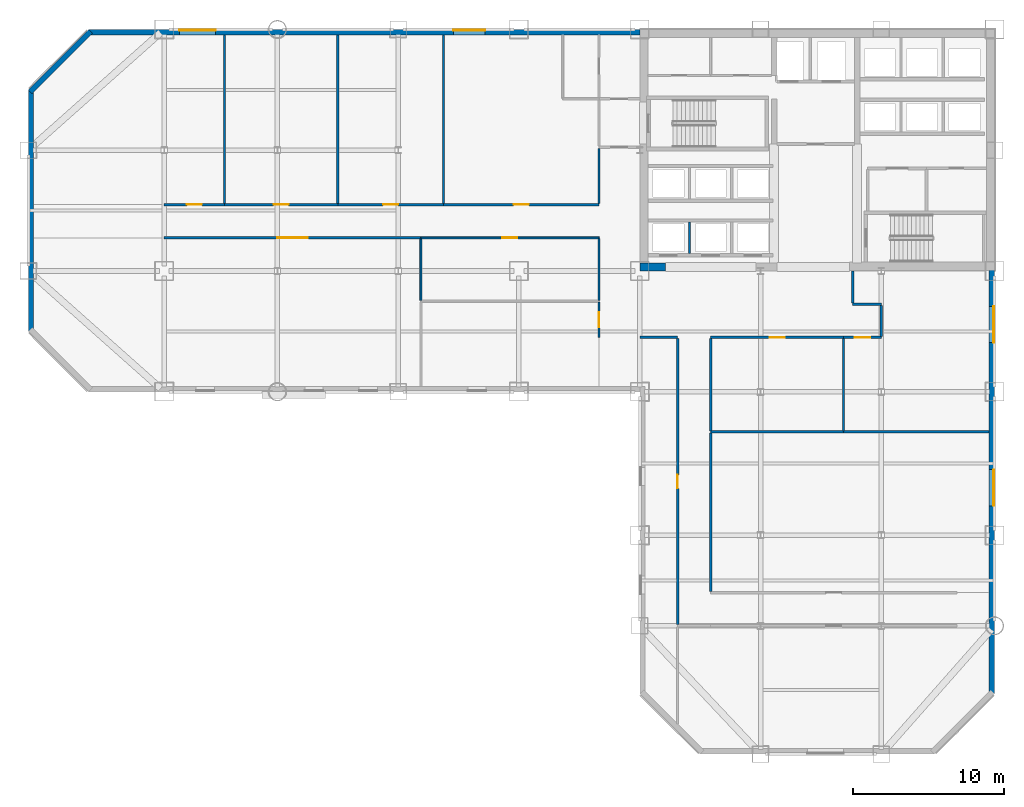
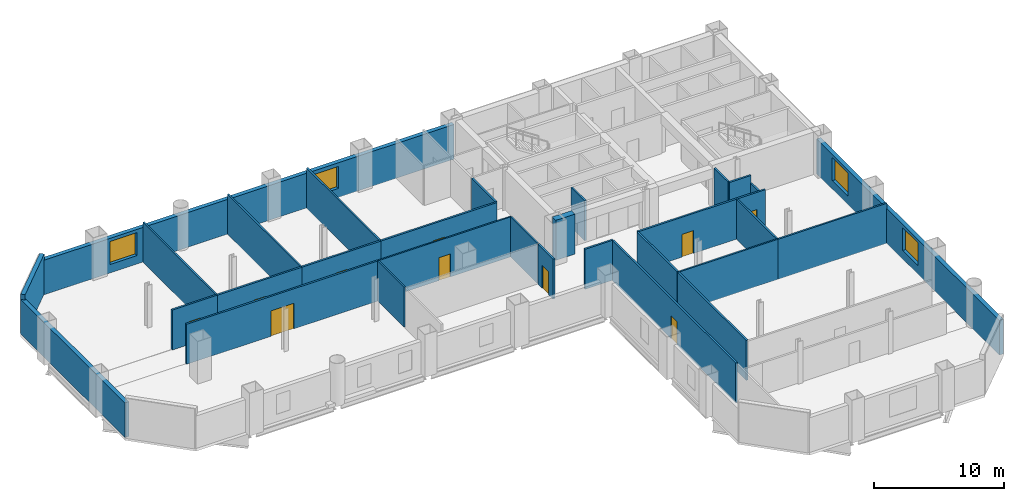
# One storey, part 5 of 9: 31 walls, 10 doors, 4 windows, 14 openings.
"""IFC4 building model written with IfcOpenShell, lengths in metres."""

from ifc_helpers import new_model, si_unit, direction, frame, frame_2d, origin, place, context, subcontext, project, spatial, rectangle, extrude, material, layer, layer_set, type_object, element, fill, save


model = new_model("IFC4")

# Units and contexts
model_context = context("Model", 3, precision=1e-05, world=origin(), true_north=direction((0.0, 1.0)))
body_context = subcontext(model_context, "Body", "Model", "MODEL_VIEW")
ifc_project = project(units=[si_unit("LENGTHUNIT", "METRE"), si_unit("AREAUNIT", "SQUARE_METRE"), si_unit("VOLUMEUNIT", "CUBIC_METRE"), si_unit("PLANEANGLEUNIT", "RADIAN"), si_unit("MASSUNIT", "GRAM", prefix="KILO")], contexts=[model_context])

# Site, building, storey
site_placement = place(None, origin())
site = spatial("IfcSite", under=ifc_project, at=site_placement, CompositionType="ELEMENT")
building_placement = place(site_placement, origin())
building = spatial("IfcBuilding", under=site, at=building_placement, Name="Qianrong Seaharbour Tower", CompositionType="ELEMENT")
storey_placement = place(building_placement, frame((0.0, 0.0, 84.199951171875)))
storey = spatial("IfcBuildingStorey", under=building, at=storey_placement, Name="L20", CompositionType="ELEMENT", Elevation=84.199951171875)

# Wall
ifc_material_1 = material(Name="Concrete C70/85", Category="concrete")
ifc_layer_1 = layer(ifc_material_1, 0.5400390625)
ifc_layer_set_1 = layer_set([ifc_layer_1], Name="Concrete C70/85")
wall_type_1 = type_object("IfcWallType", Name="WALL-CORE-540", PredefinedType="SHEAR", material=ifc_layer_set_1)
wall_1_placement = place(storey_placement, frame((40.5, 36.27001953125, 0.0), z_axis=(0.0, 0.0, 1.0), x_axis=(1.0, 0.0, 0.0)))
element("IfcWall", 1, at=wall_1_placement, inside=storey, type_object=wall_type_1, Name="L20 South Core Shear Wall S1", PredefinedType="SHEAR", context=body_context, shape_type="SweptSolid", body=[
    extrude(rectangle(XDim=1.699951171875, YDim=0.5400390625, at=frame_2d((0.85009765625, 0.0))), origin(), (0.0, 0.0, 1.0), 3.75),
])

# Wall, opening, door
ifc_material_2 = material(Name="Fire-rated acoustic gypsum board partition")
ifc_layer_2 = layer(ifc_material_2, 0.1650390625)
ifc_layer_set_2 = layer_set([ifc_layer_2], Name="Fire-rated acoustic gypsum board partition")
wall_type_2 = type_object("IfcWallType", Name="WALL-CORR-PART-165", PredefinedType="PARTITIONING", material=ifc_layer_set_2)
wall_2_placement = place(storey_placement, frame((9.0, 40.39990234375, 0.0), z_axis=(0.0, 0.0, 1.0), x_axis=(1.0, 0.0, 0.0)))
wall_2 = element("IfcWall", 2, at=wall_2_placement, inside=storey, type_object=wall_type_2, Name="L20 Interior Partition Wall 015", PredefinedType="PARTITIONING", context=body_context, shape_type="SweptSolid", body=[
    extrude(rectangle(XDim=4.0, YDim=0.1650390625, at=frame_2d((2.0, 0.0))), origin(), (0.0, 0.0, 1.0), 3.75),
])
opening_1_placement = place(wall_2_placement, frame((1.5, 0.0, 0.0)))
opening_1 = element("IfcOpeningElement", 3, at=opening_1_placement, cuts=wall_2, Name="Opening DO-01", PredefinedType="OPENING", context=body_context, shape_type="SweptSolid", body=[
    extrude(rectangle(XDim=1.0, YDim=2.14990234375, at=frame_2d((0.5, 1.074951171875))), frame((0.0, 0.092529296875, 0.0), z_axis=(0.0, -1.0, 0.0), x_axis=(1.0, 0.0, 0.0)), (0.0, 0.0, 1.0), 0.18505859375),
])
ifc_material_3 = material(Name="Acoustic timber and galvanized steel fire door assembly", Category="steel")
door_type_1 = type_object("IfcDoorType", Name="DOOR-OFFICE-1000x2150", OperationType="NOTDEFINED", PredefinedType="DOOR", material=ifc_material_3)
door_1_placement = place(opening_1_placement, origin())
door_1 = element("IfcDoor", 4, at=door_1_placement, inside=storey, type_object=door_type_1, Name="L20 Occupational Health Clinic 1 Door", OperationType="SINGLE_SWING_RIGHT", OverallHeight=2.14990234375, OverallWidth=1.0, PredefinedType="DOOR", context=body_context, shape_type="SweptSolid", body=[
    extrude(rectangle(XDim=1.0, YDim=2.14990234375, at=frame_2d((0.5, 1.074951171875))), frame((0.0, 0.02490234375, 0.0), z_axis=(0.0, -1.0, 0.0), x_axis=(1.0, 0.0, 0.0)), (0.0, 0.0, 1.0), 0.050048828125),
])
fill(opening_1, door_1)

wall_3_placement = place(storey_placement, frame((13.0, 40.39990234375, 0.0), z_axis=(0.0, 0.0, 1.0), x_axis=(1.0, 0.0, 0.0)))
wall_3 = element("IfcWall", 5, at=wall_3_placement, inside=storey, type_object=wall_type_2, Name="L20 Interior Partition Wall 016", PredefinedType="PARTITIONING", context=body_context, shape_type="SweptSolid", body=[
    extrude(rectangle(XDim=7.5, YDim=0.1650390625, at=frame_2d((3.75, 0.0))), origin(), (0.0, 0.0, 1.0), 3.75),
])
opening_2_placement = place(wall_3_placement, frame((3.25, 0.0, 0.0)))
opening_2 = element("IfcOpeningElement", 6, at=opening_2_placement, cuts=wall_3, Name="Opening DO-01", PredefinedType="OPENING", context=body_context, shape_type="SweptSolid", body=[
    extrude(rectangle(XDim=1.0, YDim=2.14990234375, at=frame_2d((0.5, 1.074951171875))), frame((0.0, 0.092529296875, 0.0), z_axis=(0.0, -1.0, 0.0), x_axis=(1.0, 0.0, 0.0)), (0.0, 0.0, 1.0), 0.18505859375),
])
door_2_placement = place(opening_2_placement, origin())
door_2 = element("IfcDoor", 7, at=door_2_placement, inside=storey, type_object=door_type_1, Name="L20 Physiotherapy Room 2 Door", OperationType="SINGLE_SWING_LEFT", OverallHeight=2.14990234375, OverallWidth=1.0, PredefinedType="DOOR", context=body_context, shape_type="SweptSolid", body=[
    extrude(rectangle(XDim=1.0, YDim=2.14990234375, at=frame_2d((0.5, 1.074951171875))), frame((0.0, 0.02490234375, 0.0), z_axis=(0.0, -1.0, 0.0), x_axis=(1.0, 0.0, 0.0)), (0.0, 0.0, 1.0), 0.050048828125),
])
fill(opening_2, door_2)

wall_4_placement = place(storey_placement, frame((20.5, 40.39990234375, 0.0), z_axis=(0.0, 0.0, 1.0), x_axis=(1.0, 0.0, 0.0)))
wall_4 = element("IfcWall", 8, at=wall_4_placement, inside=storey, type_object=wall_type_2, Name="L20 Interior Partition Wall 017", PredefinedType="PARTITIONING", context=body_context, shape_type="SweptSolid", body=[
    extrude(rectangle(XDim=7.0, YDim=0.1650390625, at=frame_2d((3.5, 0.0))), origin(), (0.0, 0.0, 1.0), 3.75),
])
opening_3_placement = place(wall_4_placement, frame((3.0, 0.0, 0.0)))
opening_3 = element("IfcOpeningElement", 9, at=opening_3_placement, cuts=wall_4, Name="Opening DO-01", PredefinedType="OPENING", context=body_context, shape_type="SweptSolid", body=[
    extrude(rectangle(XDim=1.0, YDim=2.14990234375, at=frame_2d((0.5, 1.074951171875))), frame((0.0, 0.092529296875, 0.0), z_axis=(0.0, -1.0, 0.0), x_axis=(1.0, 0.0, 0.0)), (0.0, 0.0, 1.0), 0.18505859375),
])
door_3_placement = place(opening_3_placement, origin())
door_3 = element("IfcDoor", 10, at=door_3_placement, inside=storey, type_object=door_type_1, Name="L20 First Aid Nursing Room 3 Door", OperationType="SINGLE_SWING_RIGHT", OverallHeight=2.14990234375, OverallWidth=1.0, PredefinedType="DOOR", context=body_context, shape_type="SweptSolid", body=[
    extrude(rectangle(XDim=1.0, YDim=2.14990234375, at=frame_2d((0.5, 1.074951171875))), frame((0.0, 0.02490234375, 0.0), z_axis=(0.0, -1.0, 0.0), x_axis=(1.0, 0.0, 0.0)), (0.0, 0.0, 1.0), 0.050048828125),
])
fill(opening_3, door_3)

wall_5_placement = place(storey_placement, frame((27.5, 40.39990234375, 0.0), z_axis=(0.0, 0.0, 1.0), x_axis=(1.0, 0.0, 0.0)))
wall_5 = element("IfcWall", 11, at=wall_5_placement, inside=storey, type_object=wall_type_2, Name="L20 Interior Partition Wall 018", PredefinedType="PARTITIONING", context=body_context, shape_type="SweptSolid", body=[
    extrude(rectangle(XDim=10.300048828125, YDim=0.1650390625, at=frame_2d((5.14990234375, 0.0))), origin(), (0.0, 0.0, 1.0), 3.75),
])
opening_4_placement = place(wall_5_placement, frame((4.64990234375, 0.0, 0.0)))
opening_4 = element("IfcOpeningElement", 12, at=opening_4_placement, cuts=wall_5, Name="Opening DO-01", PredefinedType="OPENING", context=body_context, shape_type="SweptSolid", body=[
    extrude(rectangle(XDim=1.0, YDim=2.14990234375, at=frame_2d((0.5, 1.074951171875))), frame((0.0, 0.092529296875, 0.0), z_axis=(0.0, -1.0, 0.0), x_axis=(1.0, 0.0, 0.0)), (0.0, 0.0, 1.0), 0.18505859375),
])
door_4_placement = place(opening_4_placement, origin())
door_4 = element("IfcDoor", 13, at=door_4_placement, inside=storey, type_object=door_type_1, Name="L20 Case Coordinator Office 4 Door", OperationType="SINGLE_SWING_LEFT", OverallHeight=2.14990234375, OverallWidth=1.0, PredefinedType="DOOR", context=body_context, shape_type="SweptSolid", body=[
    extrude(rectangle(XDim=1.0, YDim=2.14990234375, at=frame_2d((0.5, 1.074951171875))), frame((0.0, 0.02490234375, 0.0), z_axis=(0.0, -1.0, 0.0), x_axis=(1.0, 0.0, 0.0)), (0.0, 0.0, 1.0), 0.050048828125),
])
fill(opening_4, door_4)

wall_6_placement = place(storey_placement, frame((26.0, 38.199951171875, 0.0), z_axis=(0.0, 0.0, 1.0), x_axis=(-1.0, 0.0, 0.0)))
wall_6 = element("IfcWall", 14, at=wall_6_placement, inside=storey, type_object=wall_type_2, Name="L20 Interior Partition Wall 019", PredefinedType="PARTITIONING", context=body_context, shape_type="SweptSolid", body=[
    extrude(rectangle(XDim=17.0, YDim=0.1650390625, at=frame_2d((8.5, 0.0))), origin(), (0.0, 0.0, 1.0), 3.75),
])
opening_5_placement = place(wall_6_placement, frame((7.5, 0.0, 0.0)))
opening_5 = element("IfcOpeningElement", 15, at=opening_5_placement, cuts=wall_6, Name="Opening DA-01", PredefinedType="OPENING", context=body_context, shape_type="SweptSolid", body=[
    extrude(rectangle(XDim=2.0, YDim=2.39990234375, at=frame_2d((1.0, 1.199951171875))), frame((0.0, 0.092529296875, 0.0), z_axis=(0.0, -1.0, 0.0), x_axis=(1.0, 0.0, 0.0)), (0.0, 0.0, 1.0), 0.18505859375),
])
door_type_2 = type_object("IfcDoorType", Name="DOOR-AUD-PAIR-2000x2400", OperationType="DOUBLE_DOOR_SINGLE_SWING", PredefinedType="DOOR", material=ifc_material_3)
door_5_placement = place(opening_5_placement, origin())
door_5 = element("IfcDoor", 16, at=door_5_placement, inside=storey, type_object=door_type_2, Name="L20 Wellness Exercise Hall Door", OperationType="DOUBLE_DOOR_SINGLE_SWING", OverallHeight=2.39990234375, OverallWidth=2.0, PredefinedType="DOOR", context=body_context, shape_type="SweptSolid", body=[
    extrude(rectangle(XDim=2.0, YDim=2.39990234375, at=frame_2d((1.0, 1.199951171875))), frame((0.0, 0.02490234375, 0.0), z_axis=(0.0, -1.0, 0.0), x_axis=(1.0, 0.0, 0.0)), (0.0, 0.0, 1.0), 0.050048828125),
])
fill(opening_5, door_5)

# Wall
wall_7_placement = place(storey_placement, frame((37.800048828125, 40.474609375, 0.0), z_axis=(0.0, 0.0, 1.0), x_axis=(0.0, 1.0, 0.0)))
element("IfcWall", 17, at=wall_7_placement, inside=storey, type_object=wall_type_2, Name="L20 Interior Partition Wall 021", PredefinedType="PARTITIONING", context=body_context, shape_type="SweptSolid", body=[
    extrude(rectangle(XDim=3.65087890625, YDim=0.1650390625, at=frame_2d((1.825439453125, 0.0))), origin(), (0.0, 0.0, 1.0), 3.75),
])

# Wall, opening, door
wall_8_placement = place(storey_placement, frame((37.800048828125, 31.60009765625, 0.0), z_axis=(0.0, 0.0, 1.0), x_axis=(0.0, 1.0, 0.0)))
wall_8 = element("IfcWall", 18, at=wall_8_placement, inside=storey, type_object=wall_type_2, Name="L20 Interior Partition Wall 022", PredefinedType="PARTITIONING", context=body_context, shape_type="SweptSolid", body=[
    extrude(rectangle(XDim=2.343017578125, YDim=0.1650390625, at=frame_2d((1.17138671875, 0.0))), origin(), (0.0, 0.0, 1.0), 3.75),
])
opening_6_placement = place(wall_8_placement, frame((0.67138671875, 0.0, 0.0)))
opening_6 = element("IfcOpeningElement", 19, at=opening_6_placement, cuts=wall_8, Name="Opening DO-01", PredefinedType="OPENING", context=body_context, shape_type="SweptSolid", body=[
    extrude(rectangle(XDim=1.0, YDim=2.14990234375, at=frame_2d((0.5, 1.074951171875))), frame((0.0, 0.092529296875, 0.0), z_axis=(0.0, -1.0, 0.0), x_axis=(1.0, 0.0, 0.0)), (0.0, 0.0, 1.0), 0.18505859375),
])
door_6_placement = place(opening_6_placement, origin())
door_6 = element("IfcDoor", 20, at=door_6_placement, inside=storey, type_object=door_type_1, Name="L20 Medical Examination Room 1 Door", OperationType="SINGLE_SWING_RIGHT", OverallHeight=2.14990234375, OverallWidth=1.0, PredefinedType="DOOR", context=body_context, shape_type="SweptSolid", body=[
    extrude(rectangle(XDim=1.0, YDim=2.14990234375, at=frame_2d((0.5, 1.074951171875))), frame((0.0, 0.02490234375, 0.0), z_axis=(0.0, -1.0, 0.0), x_axis=(1.0, 0.0, 0.0)), (0.0, 0.0, 1.0), 0.050048828125),
])
fill(opening_6, door_6)

wall_9_placement = place(storey_placement, frame((54.0, 31.60009765625, 0.0), z_axis=(0.0, 0.0, 1.0), x_axis=(-1.0, 0.0, 0.0)))
wall_9 = element("IfcWall", 21, at=wall_9_placement, inside=storey, type_object=wall_type_2, Name="L20 Interior Partition Wall 024", PredefinedType="PARTITIONING", context=body_context, shape_type="SweptSolid", body=[
    extrude(rectangle(XDim=8.800048828125, YDim=0.1650390625, at=frame_2d((4.39990234375, 0.0))), origin(), (0.0, 0.0, 1.0), 3.75),
])
opening_7_placement = place(wall_9_placement, frame((3.89990234375, 0.0, 0.0)))
opening_7 = element("IfcOpeningElement", 22, at=opening_7_placement, cuts=wall_9, Name="Opening DO-01", PredefinedType="OPENING", context=body_context, shape_type="SweptSolid", body=[
    extrude(rectangle(XDim=1.0, YDim=2.14990234375, at=frame_2d((0.5, 1.074951171875))), frame((0.0, 0.092529296875, 0.0), z_axis=(0.0, -1.0, 0.0), x_axis=(1.0, 0.0, 0.0)), (0.0, 0.0, 1.0), 0.18505859375),
])
door_7_placement = place(opening_7_placement, origin())
door_7 = element("IfcDoor", 23, at=door_7_placement, inside=storey, type_object=door_type_1, Name="L20 Wellness Room 1 Door", OperationType="SINGLE_SWING_RIGHT", OverallHeight=2.14990234375, OverallWidth=1.0, PredefinedType="DOOR", context=body_context, shape_type="SweptSolid", body=[
    extrude(rectangle(XDim=1.0, YDim=2.14990234375, at=frame_2d((0.5, 1.074951171875))), frame((0.0, 0.02490234375, 0.0), z_axis=(0.0, -1.0, 0.0), x_axis=(1.0, 0.0, 0.0)), (0.0, 0.0, 1.0), 0.050048828125),
])
fill(opening_7, door_7)

# Walls
wall_10_placement = place(storey_placement, frame((54.60009765625, 36.0, 0.0), z_axis=(0.0, 0.0, 1.0), x_axis=(0.0, -1.0, 0.0)))
element("IfcWall", 24, at=wall_10_placement, inside=storey, type_object=wall_type_2, Name="L20 Interior Partition Wall 025", PredefinedType="PARTITIONING", context=body_context, shape_type="SweptSolid", body=[
    extrude(rectangle(XDim=2.12548828125, YDim=0.1650390625, at=frame_2d((1.062744140625, 0.0))), origin(), (0.0, 0.0, 1.0), 3.75),
])
wall_11_placement = place(storey_placement, frame((54.60009765625, 33.800048828125, 0.0), z_axis=(0.0, 0.0, 1.0), x_axis=(1.0, 0.0, 0.0)))
element("IfcWall", 25, at=wall_11_placement, inside=storey, type_object=wall_type_2, Name="L20 Interior Partition Wall 026", PredefinedType="PARTITIONING", context=body_context, shape_type="SweptSolid", body=[
    extrude(rectangle(XDim=1.89990234375, YDim=0.1650390625, at=frame_2d((0.949951171875, 0.0))), origin(), (0.0, 0.0, 1.0), 3.75),
])
wall_12_placement = place(storey_placement, frame((56.5, 33.7255859375, 0.0), z_axis=(0.0, 0.0, 1.0), x_axis=(0.0, -1.0, 0.0)))
element("IfcWall", 26, at=wall_12_placement, inside=storey, type_object=wall_type_2, Name="L20 Interior Partition Wall 027", PredefinedType="PARTITIONING", context=body_context, shape_type="SweptSolid", body=[
    extrude(rectangle(XDim=2.051025390625, YDim=0.1650390625, at=frame_2d((1.025390625, 0.0))), origin(), (0.0, 0.0, 1.0), 3.0419921875),
])

# Wall, opening, door
wall_13_placement = place(storey_placement, frame((56.5, 31.60009765625, 0.0), z_axis=(0.0, 0.0, 1.0), x_axis=(-1.0, 0.0, 0.0)))
wall_13 = element("IfcWall", 27, at=wall_13_placement, inside=storey, type_object=wall_type_2, Name="L20 Interior Partition Wall 028", PredefinedType="PARTITIONING", context=body_context, shape_type="SweptSolid", body=[
    extrude(rectangle(XDim=2.5, YDim=0.1650390625, at=frame_2d((1.25, 0.0))), origin(), (0.0, 0.0, 1.0), 3.75),
])
opening_8_placement = place(wall_13_placement, frame((0.75, 0.0, 0.0)))
opening_8 = element("IfcOpeningElement", 28, at=opening_8_placement, cuts=wall_13, Name="Opening DO-01", PredefinedType="OPENING", context=body_context, shape_type="SweptSolid", body=[
    extrude(rectangle(XDim=1.0, YDim=2.14990234375, at=frame_2d((0.5, 1.074951171875))), frame((0.0, 0.092529296875, 0.0), z_axis=(0.0, -1.0, 0.0), x_axis=(1.0, 0.0, 0.0)), (0.0, 0.0, 1.0), 0.18505859375),
])
door_8_placement = place(opening_8_placement, origin())
door_8 = element("IfcDoor", 29, at=door_8_placement, inside=storey, type_object=door_type_1, Name="L20 Health Director Office 2 Door", OperationType="SINGLE_SWING_LEFT", OverallHeight=2.14990234375, OverallWidth=1.0, PredefinedType="DOOR", context=body_context, shape_type="SweptSolid", body=[
    extrude(rectangle(XDim=1.0, YDim=2.14990234375, at=frame_2d((0.5, 1.074951171875))), frame((0.0, 0.02490234375, 0.0), z_axis=(0.0, -1.0, 0.0), x_axis=(1.0, 0.0, 0.0)), (0.0, 0.0, 1.0), 0.050048828125),
])
fill(opening_8, door_8)

# Walls
wall_14_placement = place(storey_placement, frame((43.0, 31.60009765625, 0.0), z_axis=(0.0, 0.0, 1.0), x_axis=(-1.0, 0.0, 0.0)))
element("IfcWall", 30, at=wall_14_placement, inside=storey, type_object=wall_type_2, Name="L20 Interior Partition Wall 029", PredefinedType="PARTITIONING", context=body_context, shape_type="SweptSolid", body=[
    extrude(rectangle(XDim=2.5, YDim=0.1650390625, at=frame_2d((1.25, 0.0))), origin(), (0.0, 0.0, 1.0), 3.75),
])
wall_15_placement = place(storey_placement, frame((45.199951171875, 25.285400390625, 0.0), z_axis=(0.0, 0.0, 1.0), x_axis=(0.0, -1.0, 0.0)))
element("IfcWall", 31, at=wall_15_placement, inside=storey, type_object=wall_type_2, Name="L20 Interior Partition Wall 031", PredefinedType="PARTITIONING", context=body_context, shape_type="SweptSolid", body=[
    extrude(rectangle(XDim=10.510986328125, YDim=0.1650390625, at=frame_2d((5.25537109375, 0.0))), origin(), (0.0, 0.0, 1.0), 3.75),
])
wall_16_placement = place(storey_placement, frame((45.199951171875, 31.525390625, 0.0), z_axis=(0.0, 0.0, 1.0), x_axis=(0.0, -1.0, 0.0)))
element("IfcWall", 32, at=wall_16_placement, inside=storey, type_object=wall_type_2, Name="L20 Interior Partition Wall 032", PredefinedType="PARTITIONING", context=body_context, shape_type="SweptSolid", body=[
    extrude(rectangle(XDim=6.11083984375, YDim=0.1650390625, at=frame_2d((3.055419921875, 0.0))), origin(), (0.0, 0.0, 1.0), 3.75),
])

# Wall, opening, door
wall_17_placement = place(storey_placement, frame((43.0, 12.574462890625, 0.0), z_axis=(0.0, 0.0, 1.0), x_axis=(0.0, 1.0, 0.0)))
wall_17 = element("IfcWall", 33, at=wall_17_placement, inside=storey, type_object=wall_type_2, Name="L20 Interior Partition Wall 033", PredefinedType="PARTITIONING", context=body_context, shape_type="SweptSolid", body=[
    extrude(rectangle(XDim=18.950927734375, YDim=0.1650390625, at=frame_2d((9.4755859375, 0.0))), origin(), (0.0, 0.0, 1.0), 3.75),
])
opening_9_placement = place(wall_17_placement, frame((9.025390625, 0.0, 0.0)))
opening_9 = element("IfcOpeningElement", 34, at=opening_9_placement, cuts=wall_17, Name="Opening DS-01", PredefinedType="OPENING", context=body_context, shape_type="SweptSolid", body=[
    extrude(rectangle(XDim=0.89990234375, YDim=2.14990234375, at=frame_2d((0.449951171875, 1.074951171875))), frame((0.0, 0.092529296875, 0.0), z_axis=(0.0, -1.0, 0.0), x_axis=(1.0, 0.0, 0.0)), (0.0, 0.0, 1.0), 0.18505859375),
])
door_type_3 = type_object("IfcDoorType", Name="DOOR-STORE-900x2150", OperationType="NOTDEFINED", PredefinedType="DOOR", material=ifc_material_3)
door_9_placement = place(opening_9_placement, origin())
door_9 = element("IfcDoor", 35, at=door_9_placement, inside=storey, type_object=door_type_3, Name="L20 Clinical Dispensary Store Door", OperationType="SINGLE_SWING_RIGHT", OverallHeight=2.14990234375, OverallWidth=0.89990234375, PredefinedType="DOOR", context=body_context, shape_type="SweptSolid", body=[
    extrude(rectangle(XDim=0.89990234375, YDim=2.14990234375, at=frame_2d((0.449951171875, 1.074951171875))), frame((0.0, 0.02490234375, 0.0), z_axis=(0.0, -1.0, 0.0), x_axis=(1.0, 0.0, 0.0)), (0.0, 0.0, 1.0), 0.050048828125),
])
fill(opening_9, door_9)

# Walls
ifc_material_4 = material(Name="Unitised red brick on Precast concrete C45/55", Category="masonry")
ifc_layer_3 = layer(ifc_material_4, 0.360107421875)
ifc_layer_set_3 = layer_set([ifc_layer_3], Name="Unitised red brick on Precast concrete C45/55")
wall_type_3 = type_object("IfcWallType", Name="WALL-EXT-BRICK-RED-360", PredefinedType="SOLIDWALL", material=ifc_layer_set_3)
wall_18_placement = place(storey_placement, frame((0.179931640625, 32.0, 0.0), z_axis=(0.0, 0.0, 1.0), x_axis=(0.0, 1.0, 0.0)))
element("IfcWall", 36, at=wall_18_placement, inside=storey, type_object=wall_type_3, Name="L20 Exterior Masonry Facade Wall WEST_TIP", PredefinedType="SOLIDWALL", context=body_context, shape_type="SweptSolid", body=[
    extrude(rectangle(XDim=16.0, YDim=0.360107421875, at=frame_2d((8.0, 0.0))), origin(), (0.0, 0.0, 1.0), 3.25),
])
wall_19_placement = place(storey_placement, frame((0.127197265625, 47.872802734375, 0.0), z_axis=(0.0, 0.0, 1.0), x_axis=(0.707106781187, 0.707106781187, 0.0)))
element("IfcWall", 37, at=wall_19_placement, inside=storey, type_object=wall_type_3, Name="L20 Exterior Masonry Facade Wall E04", PredefinedType="SOLIDWALL", context=body_context, shape_type="SweptSolid", body=[
    extrude(rectangle(XDim=5.65673828125, YDim=0.360107421875, at=frame_2d((2.828369140625, 0.0))), origin(), (0.0, 0.0, 1.0), 3.75),
])

# Wall, openings, windows
wall_20_placement = place(storey_placement, frame((4.0, 51.820068359375, 0.0), z_axis=(0.0, 0.0, 1.0), x_axis=(1.0, 0.0, 0.0)))
wall_20 = element("IfcWall", 38, at=wall_20_placement, inside=storey, type_object=wall_type_3, Name="L20 Exterior Masonry Facade Wall NORTH_WING", PredefinedType="SOLIDWALL", context=body_context, shape_type="SweptSolid", body=[
    extrude(rectangle(XDim=36.52001953125, YDim=0.360107421875, at=frame_2d((18.260009765625, 0.0))), origin(), (0.0, 0.0, 1.0), 3.25),
])
opening_10_placement = place(wall_20_placement, frame((6.0, 0.0, 0.800048828125)))
opening_10 = element("IfcOpeningElement", 39, at=opening_10_placement, cuts=wall_20, Name="Opening WN-07", PredefinedType="OPENING", context=body_context, shape_type="SweptSolid", body=[
    extrude(rectangle(XDim=2.39990234375, YDim=2.14990234375, at=frame_2d((1.199951171875, 1.074951171875))), frame((0.0, 0.18994140625, 0.0), z_axis=(0.0, -1.0, 0.0), x_axis=(1.0, 0.0, 0.0)), (0.0, 0.0, 1.0), 0.380126953125),
])
opening_11_placement = place(wall_20_placement, frame((24.14990234375, 0.0, 0.85009765625)))
opening_11 = element("IfcOpeningElement", 40, at=opening_11_placement, cuts=wall_20, Name="Opening WN-06", PredefinedType="OPENING", context=body_context, shape_type="SweptSolid", body=[
    extrude(rectangle(XDim=2.10009765625, YDim=2.050048828125, at=frame_2d((1.050048828125, 1.02490234375))), frame((0.0, 0.18994140625, 0.0), z_axis=(0.0, -1.0, 0.0), x_axis=(1.0, 0.0, 0.0)), (0.0, 0.0, 1.0), 0.380126953125),
])
ifc_material_5 = material(Name="Insulated low-e double glazing in thermally broken aluminium 6063-T6 frame", Category="aluminium")
window_type_1 = type_object("IfcWindowType", Name="WIN-PUNCH-2100x2050", PartitioningType="TRIPLE_PANEL_VERTICAL", PredefinedType="WINDOW", material=ifc_material_5)
window_1_placement = place(opening_11_placement, origin())
window_1 = element("IfcWindow", 41, at=window_1_placement, inside=storey, type_object=window_type_1, Name="L20 Deep-Set Punched Window 05.07", OverallHeight=2.050048828125, OverallWidth=2.10009765625, PartitioningType="TRIPLE_PANEL_VERTICAL", PredefinedType="WINDOW", context=body_context, shape_type="SweptSolid", body=[
    extrude(rectangle(XDim=2.10009765625, YDim=2.050048828125, at=frame_2d((1.050048828125, 1.02490234375))), frame((0.0, 0.150146484375, 0.0), z_axis=(0.0, -1.0, 0.0), x_axis=(1.0, 0.0, 0.0)), (0.0, 0.0, 1.0), 0.06005859375),
])
fill(opening_11, window_1)
window_type_2 = type_object("IfcWindowType", Name="WIN-PUNCH-2400x2150", PartitioningType="TRIPLE_PANEL_VERTICAL", PredefinedType="WINDOW", material=ifc_material_5)
window_2_placement = place(opening_10_placement, origin())
window_2 = element("IfcWindow", 42, at=window_2_placement, inside=storey, type_object=window_type_2, Name="L20 Deep-Set Punched Window 05.02", OverallHeight=2.14990234375, OverallWidth=2.39990234375, PartitioningType="TRIPLE_PANEL_VERTICAL", PredefinedType="WINDOW", context=body_context, shape_type="SweptSolid", body=[
    extrude(rectangle(XDim=2.39990234375, YDim=2.14990234375, at=frame_2d((1.199951171875, 1.074951171875))), frame((0.0, 0.150146484375, 0.0), z_axis=(0.0, -1.0, 0.0), x_axis=(1.0, 0.0, 0.0)), (0.0, 0.0, 1.0), 0.06005859375),
])
fill(opening_10, window_2)

wall_21_placement = place(storey_placement, frame((63.820068359375, 36.050048828125, 0.0), z_axis=(0.0, 0.0, 1.0), x_axis=(0.0, -1.0, 0.0)))
wall_21 = element("IfcWall", 43, at=wall_21_placement, inside=storey, type_object=wall_type_3, Name="L20 Exterior Masonry Facade Wall EAST_WING", PredefinedType="SOLIDWALL", context=body_context, shape_type="SweptSolid", body=[
    extrude(rectangle(XDim=28.050048828125, YDim=0.360107421875, at=frame_2d((14.02490234375, 0.0))), origin(), (0.0, 0.0, 1.0), 3.25),
])
opening_12_placement = place(wall_21_placement, frame((2.39990234375, 0.0, 0.800048828125)))
opening_12 = element("IfcOpeningElement", 44, at=opening_12_placement, cuts=wall_21, Name="Opening WN-07", PredefinedType="OPENING", context=body_context, shape_type="SweptSolid", body=[
    extrude(rectangle(XDim=2.39990234375, YDim=2.14990234375, at=frame_2d((1.199951171875, 1.074951171875))), frame((0.0, 0.18994140625, 0.0), z_axis=(0.0, -1.0, 0.0), x_axis=(1.0, 0.0, 0.0)), (0.0, 0.0, 1.0), 0.380126953125),
])
opening_13_placement = place(wall_21_placement, frame((13.199951171875, 0.0, 0.800048828125)))
opening_13 = element("IfcOpeningElement", 45, at=opening_13_placement, cuts=wall_21, Name="Opening WN-07", PredefinedType="OPENING", context=body_context, shape_type="SweptSolid", body=[
    extrude(rectangle(XDim=2.39990234375, YDim=2.14990234375, at=frame_2d((1.199951171875, 1.074951171875))), frame((0.0, 0.18994140625, 0.0), z_axis=(0.0, -1.0, 0.0), x_axis=(1.0, 0.0, 0.0)), (0.0, 0.0, 1.0), 0.380126953125),
])
window_3_placement = place(opening_12_placement, origin())
window_3 = element("IfcWindow", 46, at=window_3_placement, inside=storey, type_object=window_type_2, Name="L20 Deep-Set Punched Window 06.01", OverallHeight=2.14990234375, OverallWidth=2.39990234375, PartitioningType="TRIPLE_PANEL_VERTICAL", PredefinedType="WINDOW", context=body_context, shape_type="SweptSolid", body=[
    extrude(rectangle(XDim=2.39990234375, YDim=2.14990234375, at=frame_2d((1.199951171875, 1.074951171875))), frame((0.0, 0.150146484375, 0.0), z_axis=(0.0, -1.0, 0.0), x_axis=(1.0, 0.0, 0.0)), (0.0, 0.0, 1.0), 0.06005859375),
])
fill(opening_12, window_3)
window_4_placement = place(opening_13_placement, origin())
window_4 = element("IfcWindow", 47, at=window_4_placement, inside=storey, type_object=window_type_2, Name="L20 Deep-Set Punched Window 06.04", OverallHeight=2.14990234375, OverallWidth=2.39990234375, PartitioningType="TRIPLE_PANEL_VERTICAL", PredefinedType="WINDOW", context=body_context, shape_type="SweptSolid", body=[
    extrude(rectangle(XDim=2.39990234375, YDim=2.14990234375, at=frame_2d((1.199951171875, 1.074951171875))), frame((0.0, 0.150146484375, 0.0), z_axis=(0.0, -1.0, 0.0), x_axis=(1.0, 0.0, 0.0)), (0.0, 0.0, 1.0), 0.06005859375),
])
fill(opening_13, window_4)

# Walls
ifc_material_6 = material(Name="Acoustic gypsum board stud partition")
ifc_layer_4 = layer(ifc_material_6, 0.14501953125)
ifc_layer_set_4 = layer_set([ifc_layer_4], Name="Acoustic gypsum board stud partition")
wall_type_4 = type_object("IfcWallType", Name="WALL-OFFICE-PART-145", PredefinedType="PARTITIONING", material=ifc_layer_set_4)
wall_22_placement = place(storey_placement, frame((45.199951171875, 25.35009765625, 0.0), z_axis=(0.0, 0.0, 1.0), x_axis=(1.0, 0.0, 0.0)))
element("IfcWall", 48, at=wall_22_placement, inside=storey, type_object=wall_type_4, Name="L20 Interior Partition Wall 037", PredefinedType="PARTITIONING", context=body_context, shape_type="SweptSolid", body=[
    extrude(rectangle(XDim=8.800048828125, YDim=0.14501953125, at=frame_2d((4.39990234375, 0.0))), origin(), (0.0, 0.0, 1.0), 3.75),
])
wall_23_placement = place(storey_placement, frame((54.0, 25.35009765625, 0.0), z_axis=(0.0, 0.0, 1.0), x_axis=(1.0, 0.0, 0.0)))
element("IfcWall", 49, at=wall_23_placement, inside=storey, type_object=wall_type_4, Name="L20 Interior Partition Wall 038", PredefinedType="PARTITIONING", context=body_context, shape_type="SweptSolid", body=[
    extrude(rectangle(XDim=9.64794921875, YDim=0.14501953125, at=frame_2d((4.823974609375, 0.0))), origin(), (0.0, 0.0, 1.0), 3.75),
])
wall_24_placement = place(storey_placement, frame((54.0, 31.525390625, 0.0), z_axis=(0.0, 0.0, 1.0), x_axis=(0.0, -1.0, 0.0)))
element("IfcWall", 50, at=wall_24_placement, inside=storey, type_object=wall_type_4, Name="L20 Interior Partition Wall 039", PredefinedType="PARTITIONING", context=body_context, shape_type="SweptSolid", body=[
    extrude(rectangle(XDim=6.11083984375, YDim=0.14501953125, at=frame_2d((3.055419921875, 0.0))), origin(), (0.0, 0.0, 1.0), 3.75),
])
for number, where, z_axis, x_axis, name in (
    (51, (13.0, 51.64794921875, 0.0), (0.0, 0.0, 1.0), (0.0, -1.0, 0.0), "L20 Interior Partition Wall 040"),
    (52, (20.5, 51.64794921875, 0.0), (0.0, 0.0, 1.0), (0.0, -1.0, 0.0), "L20 Interior Partition Wall 041"),
    (53, (27.5, 51.64794921875, 0.0), (0.0, 0.0, 1.0), (0.0, -1.0, 0.0), "L20 Interior Partition Wall 042"),
):
    element("IfcWall", number, at=place(storey_placement, frame(where, z_axis=z_axis, x_axis=x_axis)), inside=storey, type_object=wall_type_4, Name=name, PredefinedType="PARTITIONING", context=body_context, shape_type="SweptSolid", body=[
        extrude(rectangle(XDim=11.17333984375, YDim=0.14501953125, at=frame_2d((5.586669921875, 0.0))), origin(), (0.0, 0.0, 1.0), 3.75),
    ])
ifc_material_7 = material(Name="Fire-rated gypsum board on steel studs", Category="steel")
ifc_layer_5 = layer(ifc_material_7, 0.14990234375)
ifc_layer_set_5 = layer_set([ifc_layer_5], Name="Fire-rated gypsum board on steel studs")
wall_type_5 = type_object("IfcWallType", Name="WALL-SHAFT-DIV-150", PredefinedType="PARTITIONING", material=ifc_layer_set_5)
wall_25_placement = place(storey_placement, frame((43.800048828125, 37.159912109375, 0.0), z_axis=(0.0, 0.0, 1.0), x_axis=(0.0, 1.0, 0.0)))
element("IfcWall", 54, at=wall_25_placement, inside=storey, type_object=wall_type_5, Name="L20 P1 Lift Hoistway Divider 2", PredefinedType="PARTITIONING", context=body_context, shape_type="SweptSolid", body=[
    extrude(rectangle(XDim=2.080078125, YDim=0.14990234375, at=frame_2d((1.0400390625, 0.0))), origin(), (0.0, 0.0, 1.0), 3.75),
])

# Wall, opening, door
ifc_material_8 = material(Name="Water-resistant cement board sanitary partition")
ifc_layer_6 = layer(ifc_material_8, 0.1298828125)
ifc_layer_set_6 = layer_set([ifc_layer_6], Name="Water-resistant cement board sanitary partition")
wall_type_6 = type_object("IfcWallType", Name="WALL-WET-PART-130", PredefinedType="PARTITIONING", material=ifc_layer_set_6)
wall_26_placement = place(storey_placement, frame((37.800048828125, 38.199951171875, 0.0), z_axis=(0.0, 0.0, 1.0), x_axis=(-1.0, 0.0, 0.0)))
wall_26 = element("IfcWall", 55, at=wall_26_placement, inside=storey, type_object=wall_type_6, Name="L20 Interior Partition Wall 020", PredefinedType="PARTITIONING", context=body_context, shape_type="SweptSolid", body=[
    extrude(rectangle(XDim=11.800048828125, YDim=0.1298828125, at=frame_2d((5.89990234375, 0.0))), origin(), (0.0, 0.0, 1.0), 3.75),
])
opening_14_placement = place(wall_26_placement, frame((5.39990234375, 0.0, 0.0)))
opening_14 = element("IfcOpeningElement", 56, at=opening_14_placement, cuts=wall_26, Name="Opening DO-01", PredefinedType="OPENING", context=body_context, shape_type="SweptSolid", body=[
    extrude(rectangle(XDim=1.0, YDim=2.14990234375, at=frame_2d((0.5, 1.074951171875))), frame((0.0, 0.074951171875, 0.0), z_axis=(0.0, -1.0, 0.0), x_axis=(1.0, 0.0, 0.0)), (0.0, 0.0, 1.0), 0.14990234375),
])
door_10_placement = place(opening_14_placement, origin())
door_10 = element("IfcDoor", 57, at=door_10_placement, inside=storey, type_object=door_type_1, Name="L20 Wet Pantry 2 Door", OperationType="SINGLE_SWING_LEFT", OverallHeight=2.14990234375, OverallWidth=1.0, PredefinedType="DOOR", context=body_context, shape_type="SweptSolid", body=[
    extrude(rectangle(XDim=1.0, YDim=2.14990234375, at=frame_2d((0.5, 1.074951171875))), frame((0.0, 0.02490234375, 0.0), z_axis=(0.0, -1.0, 0.0), x_axis=(1.0, 0.0, 0.0)), (0.0, 0.0, 1.0), 0.050048828125),
])
fill(opening_14, door_10)

# Walls
wall_27_placement = place(storey_placement, frame((37.800048828125, 34.056884765625, 0.0), z_axis=(0.0, 0.0, 1.0), x_axis=(0.0, 1.0, 0.0)))
element("IfcWall", 58, at=wall_27_placement, inside=storey, type_object=wall_type_6, Name="L20 Interior Partition Wall 023", PredefinedType="PARTITIONING", context=body_context, shape_type="SweptSolid", body=[
    extrude(rectangle(XDim=4.086181640625, YDim=0.1298828125, at=frame_2d((2.04296875, 0.0))), origin(), (0.0, 0.0, 1.0), 3.75),
])
wall_28_placement = place(storey_placement, frame((26.0, 38.12548828125, 0.0), z_axis=(0.0, 0.0, 1.0), x_axis=(0.0, -1.0, 0.0)))
element("IfcWall", 59, at=wall_28_placement, inside=storey, type_object=wall_type_6, Name="L20 Interior Partition Wall 044", PredefinedType="PARTITIONING", context=body_context, shape_type="SweptSolid", body=[
    extrude(rectangle(XDim=4.068603515625, YDim=0.1298828125, at=frame_2d((2.0341796875, 0.0))), origin(), (0.0, 0.0, 1.0), 3.75),
])

save(model, "model.ifc")
